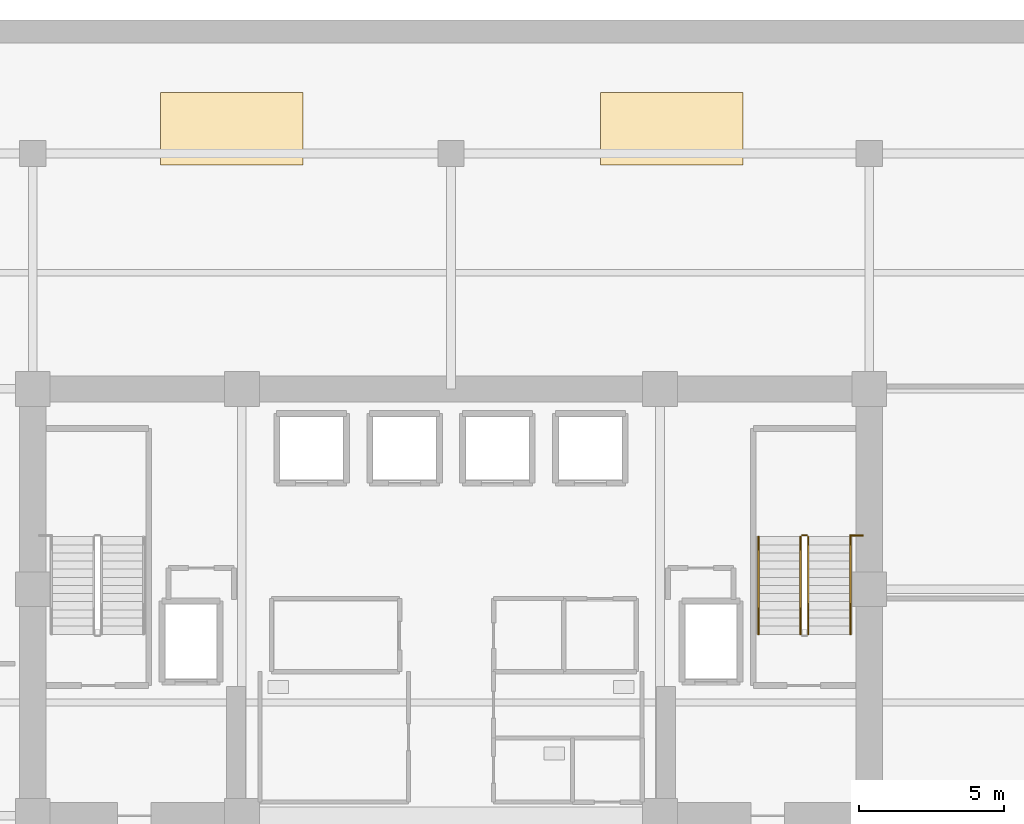
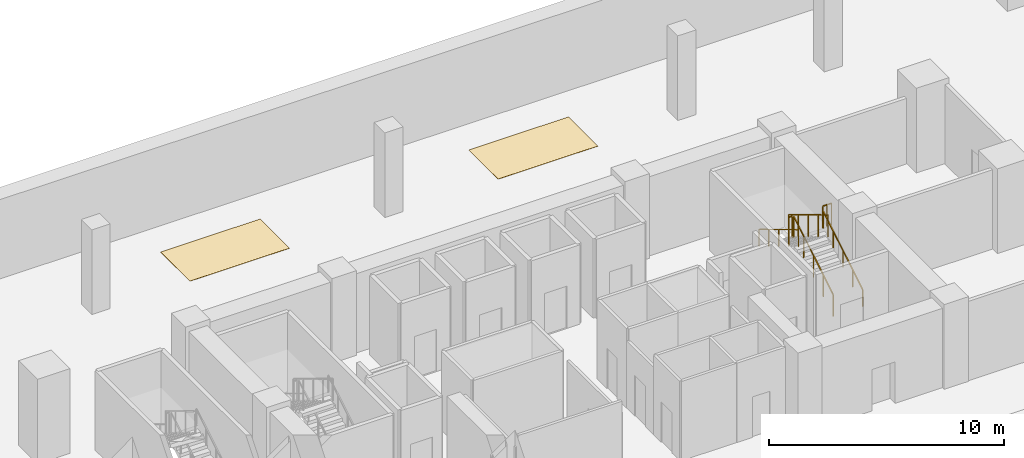
# One storey, part 11 of 13: 6 railings, 2 coverings.
"""IFC4 building model written with IfcOpenShell, lengths in metres."""

from ifc_helpers import new_model, si_unit, direction, frame, origin, origin_2d, place, context, subcontext, project, spatial, polyline, rectangle, outline, extrude, material, layer, layer_set, type_object, element, save


model = new_model("IFC4")

# Units and contexts
model_context = context("Model", 3, precision=1e-05, world=origin(), true_north=direction((0.0, 1.0)))
body_context = subcontext(model_context, "Body", "Model", "MODEL_VIEW")
ifc_project = project(units=[si_unit("LENGTHUNIT", "METRE"), si_unit("AREAUNIT", "SQUARE_METRE"), si_unit("VOLUMEUNIT", "CUBIC_METRE"), si_unit("PLANEANGLEUNIT", "RADIAN"), si_unit("MASSUNIT", "GRAM", prefix="KILO")], contexts=[model_context])

# Site, building, storey
site_placement = place(None, origin())
site = spatial("IfcSite", under=ifc_project, at=site_placement, CompositionType="ELEMENT")
building_placement = place(site_placement, origin())
building = spatial("IfcBuilding", under=site, at=building_placement, Name="Zarnakvel Exchange Tower", CompositionType="ELEMENT")
storey_placement = place(building_placement, frame((0.0, 0.0, -8.800048828125)))
storey = spatial("IfcBuildingStorey", under=building, at=storey_placement, Name="B02", CompositionType="ELEMENT", Elevation=-8.800048828125)

# Railings
ifc_material_1 = material(Name="Brushed Stainless Steel", Category="steel")
railing_type_1 = type_object("IfcRailingType", Name="HR-01", PredefinedType="HANDRAIL", material=ifc_material_1)
railing_1_placement = place(storey_placement, frame((13.75, 5.050048828125, 0.169189453125)))
element("IfcRailing", 1, at=railing_1_placement, inside=storey, type_object=railing_type_1, Name="B02 ST-02 stair handrail 1", PredefinedType="HANDRAIL", context=body_context, shape_type="SweptSolid", body=[
    extrude(rectangle(XDim=0.048095703125, YDim=0.048095703125, at=origin_2d()), frame((0.0, 0.0, 0.8759765625), z_axis=(0.0, 0.855820338506, 0.51727318527), x_axis=(-1.0, 0.0, 0.0)), (0.0, 0.0, 1.0), 3.92578125),
    extrude(rectangle(XDim=0.0419921875, YDim=0.0419921875, at=origin_2d()), origin(), (0.0, 0.0, 1.0), 0.851806640625),
    extrude(rectangle(XDim=0.0419921875, YDim=0.0419921875, at=origin_2d()), frame((0.0, 0.83984375, 0.5078125)), (0.0, 0.0, 1.0), 0.851806640625),
    extrude(rectangle(XDim=0.0419921875, YDim=0.0419921875, at=origin_2d()), frame((0.0, 1.679931640625, 1.015380859375)), (0.0, 0.0, 1.0), 0.851806640625),
    extrude(rectangle(XDim=0.0419921875, YDim=0.0419921875, at=origin_2d()), frame((0.0, 2.52001953125, 1.52294921875)), (0.0, 0.0, 1.0), 0.851806640625),
    extrude(rectangle(XDim=0.0419921875, YDim=0.0419921875, at=origin_2d()), frame((0.0, 3.35986328125, 2.03076171875)), (0.0, 0.0, 1.0), 0.851806640625),
])
railing_2_placement = place(storey_placement, frame((10.590087890625, 8.409912109375, 2.369384765625)))
element("IfcRailing", 2, at=railing_2_placement, inside=storey, type_object=railing_type_1, Name="B02 ST-02 stair handrail 2", PredefinedType="HANDRAIL", context=body_context, shape_type="SweptSolid", body=[
    extrude(rectangle(XDim=0.048095703125, YDim=0.048095703125, at=origin_2d()), frame((0.0, 0.0, 0.8759765625), z_axis=(0.0, -0.855820338506, 0.51727318527), x_axis=(1.0, 0.0, 0.0)), (0.0, 0.0, 1.0), 3.92578125),
    extrude(rectangle(XDim=0.0419921875, YDim=0.0419921875, at=origin_2d()), origin(), (0.0, 0.0, 1.0), 0.851806640625),
    extrude(rectangle(XDim=0.0419921875, YDim=0.0419921875, at=origin_2d()), frame((0.0, -0.83984375, 0.5078125)), (0.0, 0.0, 1.0), 0.851806640625),
    extrude(rectangle(XDim=0.0419921875, YDim=0.0419921875, at=origin_2d()), frame((0.0, -1.679931640625, 1.015380859375)), (0.0, 0.0, 1.0), 0.851806640625),
    extrude(rectangle(XDim=0.0419921875, YDim=0.0419921875, at=origin_2d()), frame((0.0, -2.52001953125, 1.52294921875)), (0.0, 0.0, 1.0), 0.851806640625),
    extrude(rectangle(XDim=0.0419921875, YDim=0.0419921875, at=origin_2d()), frame((0.0, -3.35986328125, 2.03076171875)), (0.0, 0.0, 1.0), 0.851806640625),
])

# Coverings
ifc_material_2 = material(Name="Thermoplastic Acrylic Bay Marking", Category="finish")
ifc_layer = layer(ifc_material_2, 0.010009765625)
ifc_layer_set = layer_set([ifc_layer], Name="Thermoplastic Acrylic Bay Marking")
covering_type = type_object("IfcCoveringType", Name="MK-01", PredefinedType="FLOORING", material=ifc_layer_set)
covering_1_placement = place(storey_placement, origin())
element("IfcCovering", 3, at=covering_1_placement, inside=storey, type_object=covering_type, Name="B02 Standard Parking Bay Marking B02-36", PredefinedType="FLOORING", context=body_context, shape_type="SweptSolid", body=[
    extrude(outline(polyline([(-10.0, 21.199951171875), (-5.10009765625, 21.199951171875), (-5.10009765625, 23.699951171875), (-10.0, 23.699951171875), (-10.0, 21.199951171875)])), origin(), (0.0, 0.0, 1.0), 0.010009765625),
])
covering_2_placement = place(storey_placement, origin())
element("IfcCovering", 4, at=covering_2_placement, inside=storey, type_object=covering_type, Name="B02 Standard Parking Bay Marking B02-37", PredefinedType="FLOORING", context=body_context, shape_type="SweptSolid", body=[
    extrude(outline(polyline([(5.14990234375, 21.199951171875), (10.050048828125, 21.199951171875), (10.050048828125, 23.699951171875), (5.14990234375, 23.699951171875), (5.14990234375, 21.199951171875)])), origin(), (0.0, 0.0, 1.0), 0.010009765625),
])

# Railings
ifc_material_3 = material(Name="Architectural Bronze Anodised Aluminium", Category="aluminium")
railing_type_2 = type_object("IfcRailingType", Name="SG-01", PredefinedType="GUARDRAIL", material=ifc_material_3)
railing_3_placement = place(storey_placement, frame((12.300048828125, 5.050048828125, 0.169189453125)))
element("IfcRailing", 5, at=railing_3_placement, inside=storey, type_object=railing_type_2, Name="B02 ST-02 stair guard 1", PredefinedType="GUARDRAIL", context=body_context, shape_type="SweptSolid", body=[
    extrude(rectangle(XDim=0.048095703125, YDim=0.048095703125, at=origin_2d()), frame((0.0, 0.0, 1.1259765625), z_axis=(0.0, 0.855820338506, 0.51727318527), x_axis=(-1.0, 0.0, 0.0)), (0.0, 0.0, 1.0), 3.92578125),
    extrude(rectangle(XDim=0.0419921875, YDim=0.0419921875, at=origin_2d()), origin(), (0.0, 0.0, 1.0), 1.101806640625),
    extrude(rectangle(XDim=0.0419921875, YDim=0.0419921875, at=origin_2d()), frame((0.0, 0.83984375, 0.5078125)), (0.0, 0.0, 1.0), 1.101806640625),
    extrude(rectangle(XDim=0.0419921875, YDim=0.0419921875, at=origin_2d()), frame((0.0, 1.679931640625, 1.015380859375)), (0.0, 0.0, 1.0), 1.101806640625),
    extrude(rectangle(XDim=0.0419921875, YDim=0.0419921875, at=origin_2d()), frame((0.0, 2.52001953125, 1.52294921875)), (0.0, 0.0, 1.0), 1.101806640625),
    extrude(rectangle(XDim=0.0419921875, YDim=0.0419921875, at=origin_2d()), frame((0.0, 3.35986328125, 2.03076171875)), (0.0, 0.0, 1.0), 1.101806640625),
])
railing_4_placement = place(storey_placement, frame((12.25, 8.4599609375, 2.199951171875)))
element("IfcRailing", 6, at=railing_4_placement, inside=storey, type_object=railing_type_2, Name="B02 ST-02 stair guard 2", PredefinedType="GUARDRAIL", context=body_context, shape_type="SweptSolid", body=[
    extrude(rectangle(XDim=0.048095703125, YDim=0.048095703125, at=origin_2d()), frame((0.0, 0.0, 1.1259765625), z_axis=(-1.0, 0.0, 0.0), x_axis=(0.0, -1.0, 0.0)), (0.0, 0.0, 1.0), 0.159912109375),
    extrude(rectangle(XDim=0.0419921875, YDim=0.0419921875, at=origin_2d()), origin(), (0.0, 0.0, 1.0), 1.101806640625),
    extrude(rectangle(XDim=0.0419921875, YDim=0.0419921875, at=origin_2d()), frame((-0.159912109375, 0.0, 0.0)), (0.0, 0.0, 1.0), 1.101806640625),
])
railing_5_placement = place(storey_placement, frame((12.0400390625, 8.409912109375, 2.369384765625)))
element("IfcRailing", 7, at=railing_5_placement, inside=storey, type_object=railing_type_2, Name="B02 ST-02 stair guard 3", PredefinedType="GUARDRAIL", context=body_context, shape_type="SweptSolid", body=[
    extrude(rectangle(XDim=0.048095703125, YDim=0.048095703125, at=origin_2d()), frame((0.0, 0.0, 1.1259765625), z_axis=(0.0, -0.855820338506, 0.51727318527), x_axis=(1.0, 0.0, 0.0)), (0.0, 0.0, 1.0), 3.92578125),
    extrude(rectangle(XDim=0.0419921875, YDim=0.0419921875, at=origin_2d()), origin(), (0.0, 0.0, 1.0), 1.101806640625),
    extrude(rectangle(XDim=0.0419921875, YDim=0.0419921875, at=origin_2d()), frame((0.0, -0.83984375, 0.5078125)), (0.0, 0.0, 1.0), 1.101806640625),
    extrude(rectangle(XDim=0.0419921875, YDim=0.0419921875, at=origin_2d()), frame((0.0, -1.679931640625, 1.015380859375)), (0.0, 0.0, 1.0), 1.101806640625),
    extrude(rectangle(XDim=0.0419921875, YDim=0.0419921875, at=origin_2d()), frame((0.0, -2.52001953125, 1.52294921875)), (0.0, 0.0, 1.0), 1.101806640625),
    extrude(rectangle(XDim=0.0419921875, YDim=0.0419921875, at=origin_2d()), frame((0.0, -3.35986328125, 2.03076171875)), (0.0, 0.0, 1.0), 1.101806640625),
])
railing_6_placement = place(storey_placement, frame((13.75, 8.449951171875, 2.199951171875)))
element("IfcRailing", 8, at=railing_6_placement, inside=storey, type_object=railing_type_2, Name="B02 ST-02 Landing Slot Guardrail", PredefinedType="GUARDRAIL", context=body_context, shape_type="SweptSolid", body=[
    extrude(rectangle(XDim=0.048095703125, YDim=0.048095703125, at=origin_2d()), frame((0.0, 0.0, 1.1259765625), z_axis=(1.0, 0.0, 0.0), x_axis=(0.0, 1.0, 0.0)), (0.0, 0.0, 1.0), 0.429931640625),
    extrude(rectangle(XDim=0.0419921875, YDim=0.0419921875, at=origin_2d()), origin(), (0.0, 0.0, 1.0), 1.101806640625),
    extrude(rectangle(XDim=0.0419921875, YDim=0.0419921875, at=origin_2d()), frame((0.21484375, 0.0, 0.0)), (0.0, 0.0, 1.0), 1.101806640625),
    extrude(rectangle(XDim=0.0419921875, YDim=0.0419921875, at=origin_2d()), frame((0.429931640625, 0.0, 0.0)), (0.0, 0.0, 1.0), 1.101806640625),
])

save(model, "model.ifc")
